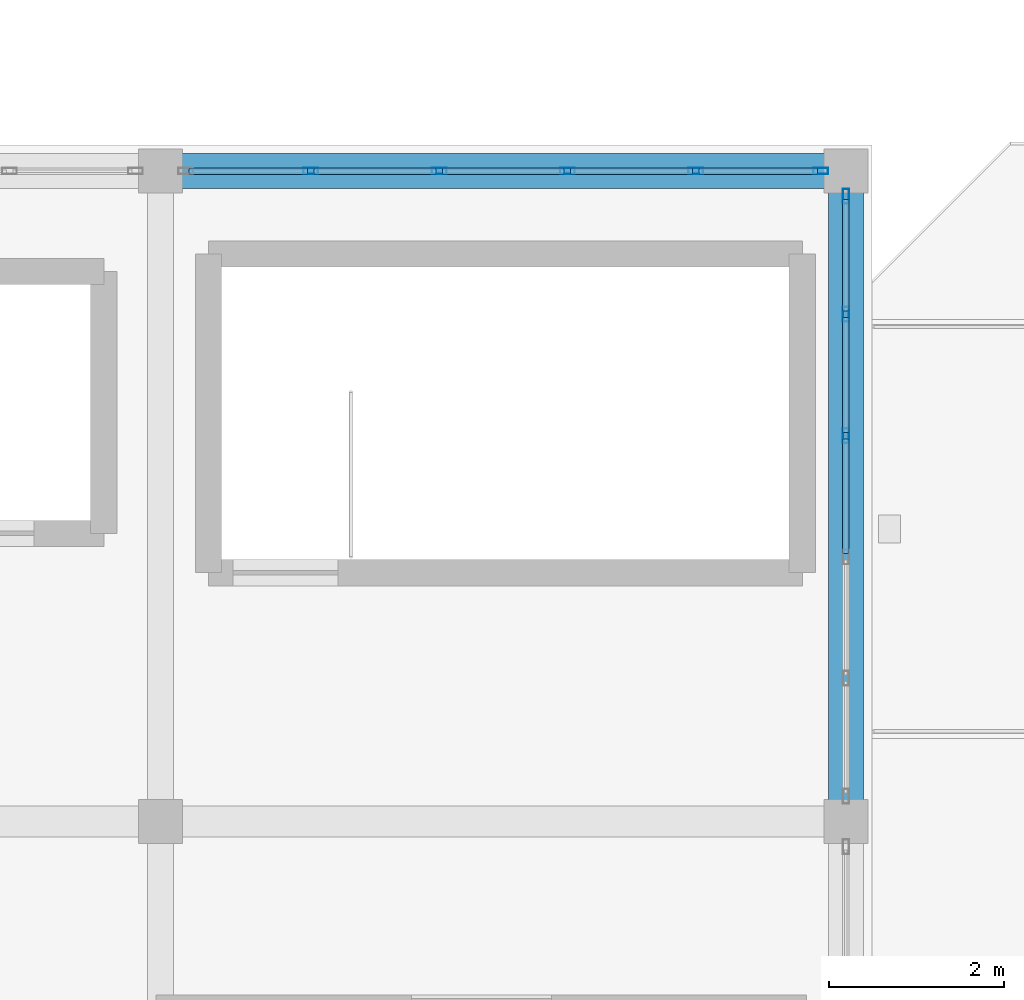
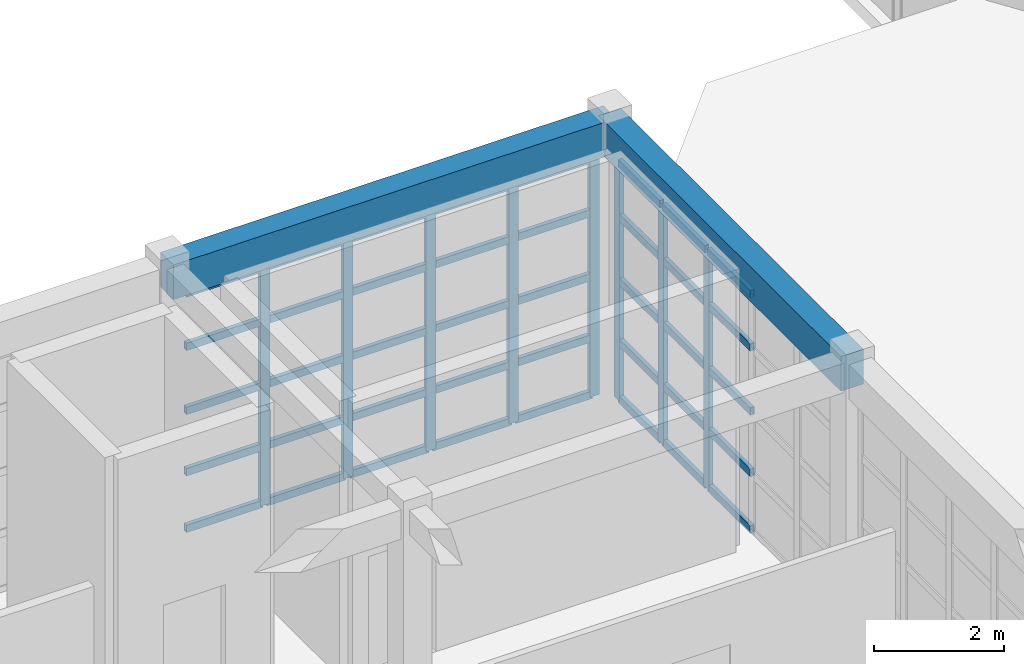
# One storey, part 14 of 103: 48 members, 2 beams, 2 elements without a shape of their own.
"""IFC4 building model written with IfcOpenShell, lengths in metres."""

from ifc_helpers import new_model, si_unit, direction, frame, origin, origin_2d, place, context, subcontext, project, spatial, rectangle, hollow_rectangle, extrude, material, layer, layer_set, material_profile, profile_set, type_object, element, aggregate, save


model = new_model("IFC4")

# Units and contexts
model_context = context("Model", 3, precision=1e-05, world=origin(), true_north=direction((0.0, 1.0)))
body_context = subcontext(model_context, "Body", "Model", "MODEL_VIEW")
ifc_project = project(units=[si_unit("LENGTHUNIT", "METRE"), si_unit("AREAUNIT", "SQUARE_METRE"), si_unit("VOLUMEUNIT", "CUBIC_METRE"), si_unit("PLANEANGLEUNIT", "RADIAN"), si_unit("MASSUNIT", "GRAM", prefix="KILO")], contexts=[model_context])

# Site, building, storey
site_placement = place(None, origin())
site = spatial("IfcSite", under=ifc_project, at=site_placement, CompositionType="ELEMENT")
building_placement = place(site_placement, origin())
building = spatial("IfcBuilding", under=site, at=building_placement, Name="Candilejo Ridge Gondola Terminal", CompositionType="ELEMENT")
storey_placement = place(building_placement, frame((0.0, 0.0, 9.0)))
storey = spatial("IfcBuildingStorey", under=building, at=storey_placement, Name="L02", CompositionType="ELEMENT", Elevation=9.0)

# Curtain wall, members
ifc_material_1 = material(Name="Anodised aluminium AA 6063-T6", Category="aluminium")
ifc_layer_1 = layer(ifc_material_1, 0.169921875)
ifc_layer_set_1 = layer_set([ifc_layer_1], Name="ARC-CW-GALLERY-3200-735X449")
curtain_wall_type_1 = type_object("IfcCurtainWallType", Name="ARC-CW-GALLERY-3200-735X449", PredefinedType="NOTDEFINED", material=ifc_layer_set_1)
curtain_wall_1_placement = place(storey_placement, origin())
curtain_wall_1 = element("IfcCurtainWall", 1, at=curtain_wall_1_placement, inside=storey, type_object=curtain_wall_type_1, Name="Curtain wall V1 L02-016", PredefinedType="NOTDEFINED")
ifc_material_2 = material(Name="Anodised aluminium AA 6063-T6", Category="aluminium")
ifc_material_profile_1 = material_profile(ifc_material_2, hollow_rectangle(XDim=0.074951171875, YDim=0.169921875, WallThickness=0.00390625, at=origin_2d()))
ifc_profile_set_1 = profile_set([ifc_material_profile_1], Name="Anodised aluminium AA 6063-T6")
member_type_1 = type_object("IfcMemberType", Name="ARC-CW-MULLION", PredefinedType="MULLION", material=ifc_profile_set_1)
member_1_placement = place(storey_placement, frame((29.719970703125, 25.699951171875, 0.0), z_axis=(0.0, 0.0, 1.0), x_axis=(0.0, 1.0, 0.0)))
member_1 = element("IfcMember", 2, at=member_1_placement, type_object=member_type_1, Name="CW-73X44 mullion 2", PredefinedType="MULLION", context=body_context, shape_type="SweptSolid", body=[
    extrude(hollow_rectangle(XDim=0.074951171875, YDim=0.169921875, WallThickness=0.00390625, at=origin_2d()), origin(), (0.0, 0.0, 1.0), 4.489990234375),
])
member_2_placement = place(storey_placement, frame((31.18994140625, 25.699951171875, 0.0), z_axis=(0.0, 0.0, 1.0), x_axis=(0.0, 1.0, 0.0)))
member_2 = element("IfcMember", 3, at=member_2_placement, type_object=member_type_1, Name="CW-73X44 mullion 3", PredefinedType="MULLION", context=body_context, shape_type="SweptSolid", body=[
    extrude(hollow_rectangle(XDim=0.074951171875, YDim=0.169921875, WallThickness=0.00390625, at=origin_2d()), origin(), (0.0, 0.0, 1.0), 4.489990234375),
])
member_3_placement = place(storey_placement, frame((32.659912109375, 25.699951171875, 0.0), z_axis=(0.0, 0.0, 1.0), x_axis=(0.0, 1.0, 0.0)))
member_3 = element("IfcMember", 4, at=member_3_placement, type_object=member_type_1, Name="CW-73X44 mullion 4", PredefinedType="MULLION", context=body_context, shape_type="SweptSolid", body=[
    extrude(hollow_rectangle(XDim=0.074951171875, YDim=0.169921875, WallThickness=0.00390625, at=origin_2d()), origin(), (0.0, 0.0, 1.0), 4.489990234375),
])
member_4_placement = place(storey_placement, frame((34.1298828125, 25.699951171875, 0.0), z_axis=(0.0, 0.0, 1.0), x_axis=(0.0, 1.0, 0.0)))
member_4 = element("IfcMember", 5, at=member_4_placement, type_object=member_type_1, Name="CW-73X44 mullion 5", PredefinedType="MULLION", context=body_context, shape_type="SweptSolid", body=[
    extrude(hollow_rectangle(XDim=0.074951171875, YDim=0.169921875, WallThickness=0.00390625, at=origin_2d()), origin(), (0.0, 0.0, 1.0), 4.489990234375),
])
member_5_placement = place(storey_placement, frame((35.5625, 25.699951171875, 0.0), z_axis=(0.0, 0.0, 1.0), x_axis=(0.0, 1.0, 0.0)))
member_5 = element("IfcMember", 6, at=member_5_placement, type_object=member_type_1, Name="CW-73X44 mullion 6", PredefinedType="MULLION", context=body_context, shape_type="SweptSolid", body=[
    extrude(hollow_rectangle(XDim=0.074951171875, YDim=0.169921875, WallThickness=0.00390625, at=origin_2d()), origin(), (0.0, 0.0, 1.0), 4.489990234375),
])

ifc_material_3 = material(Name="Anodised aluminium AA 6063-T6", Category="aluminium")
ifc_layer_2 = layer(ifc_material_3, 0.169921875)
ifc_layer_set_2 = layer_set([ifc_layer_2], Name="ARC-CW-GALLERY-3200-695X449")
curtain_wall_type_2 = type_object("IfcCurtainWallType", Name="ARC-CW-GALLERY-3200-695X449", PredefinedType="NOTDEFINED", material=ifc_layer_set_2)
curtain_wall_2_placement = place(storey_placement, origin())
curtain_wall_2 = element("IfcCurtainWall", 7, at=curtain_wall_2_placement, inside=storey, type_object=curtain_wall_type_2, Name="Curtain wall V1 L02-027", PredefinedType="NOTDEFINED")
member_6_placement = place(storey_placement, frame((35.85009765625, 22.669921875, 0.0), z_axis=(0.0, 0.0, 1.0), x_axis=(-1.0, 0.0, 0.0)))
member_6 = element("IfcMember", 8, at=member_6_placement, type_object=member_type_1, Name="CW-69X44 mullion 4", PredefinedType="MULLION", context=body_context, shape_type="SweptSolid", body=[
    extrude(hollow_rectangle(XDim=0.074951171875, YDim=0.169921875, WallThickness=0.00390625, at=origin_2d()), origin(), (0.0, 0.0, 1.0), 4.489990234375),
])
member_7_placement = place(storey_placement, frame((35.85009765625, 24.06005859375, 0.0), z_axis=(0.0, 0.0, 1.0), x_axis=(-1.0, 0.0, 0.0)))
member_7 = element("IfcMember", 9, at=member_7_placement, type_object=member_type_1, Name="CW-69X44 mullion 5", PredefinedType="MULLION", context=body_context, shape_type="SweptSolid", body=[
    extrude(hollow_rectangle(XDim=0.074951171875, YDim=0.169921875, WallThickness=0.00390625, at=origin_2d()), origin(), (0.0, 0.0, 1.0), 4.489990234375),
])
member_8_placement = place(storey_placement, frame((35.85009765625, 25.41259765625, 0.0), z_axis=(0.0, 0.0, 1.0), x_axis=(-1.0, 0.0, 0.0)))
member_8 = element("IfcMember", 10, at=member_8_placement, type_object=member_type_1, Name="CW-69X44 mullion 6", PredefinedType="MULLION", context=body_context, shape_type="SweptSolid", body=[
    extrude(hollow_rectangle(XDim=0.074951171875, YDim=0.169921875, WallThickness=0.00390625, at=origin_2d()), origin(), (0.0, 0.0, 1.0), 4.489990234375),
])

# Member
ifc_material_4 = material(Name="Anodised aluminium AA 6063-T6", Category="aluminium")
ifc_material_profile_2 = material_profile(ifc_material_4, hollow_rectangle(XDim=0.074951171875, YDim=0.139892578125, WallThickness=0.00390625, at=origin_2d()))
ifc_profile_set_2 = profile_set([ifc_material_profile_2], Name="Anodised aluminium AA 6063-T6")
member_type_2 = type_object("IfcMemberType", Name="ARC-CW-TRANSOM", PredefinedType="USERDEFINED", material=ifc_profile_set_2)
member_9_placement = place(storey_placement, frame((28.324951171875, 25.699951171875, 0.03759765625), z_axis=(1.0, 0.0, 0.0), x_axis=(0.0, 1.0, 0.0)))
member_9 = element("IfcMember", 11, at=member_9_placement, type_object=member_type_2, Name="CW-73X44 transom 1.1", ObjectType="TRANSOM", PredefinedType="USERDEFINED", context=body_context, shape_type="SweptSolid", body=[
    extrude(hollow_rectangle(XDim=0.074951171875, YDim=0.139892578125, WallThickness=0.00390625, at=origin_2d()), origin(), (0.0, 0.0, 1.0), 1.357666015625),
])

member_10_placement = place(storey_placement, frame((28.324951171875, 25.699951171875, 1.10009765625), z_axis=(1.0, 0.0, 0.0), x_axis=(0.0, 1.0, 0.0)))
member_10 = element("IfcMember", 12, at=member_10_placement, type_object=member_type_2, Name="CW-73X44 transom 1.2", ObjectType="TRANSOM", PredefinedType="USERDEFINED", context=body_context, shape_type="SweptSolid", body=[
    extrude(hollow_rectangle(XDim=0.074951171875, YDim=0.139892578125, WallThickness=0.00390625, at=origin_2d()), origin(), (0.0, 0.0, 1.0), 1.357666015625),
])

member_11_placement = place(storey_placement, frame((28.324951171875, 25.699951171875, 2.25), z_axis=(1.0, 0.0, 0.0), x_axis=(0.0, 1.0, 0.0)))
member_11 = element("IfcMember", 13, at=member_11_placement, type_object=member_type_2, Name="CW-73X44 transom 1.3", ObjectType="TRANSOM", PredefinedType="USERDEFINED", context=body_context, shape_type="SweptSolid", body=[
    extrude(hollow_rectangle(XDim=0.074951171875, YDim=0.139892578125, WallThickness=0.00390625, at=origin_2d()), origin(), (0.0, 0.0, 1.0), 1.357666015625),
])

member_12_placement = place(storey_placement, frame((28.324951171875, 25.699951171875, 3.449951171875), z_axis=(1.0, 0.0, 0.0), x_axis=(0.0, 1.0, 0.0)))
member_12 = element("IfcMember", 14, at=member_12_placement, type_object=member_type_2, Name="CW-73X44 transom 1.4", ObjectType="TRANSOM", PredefinedType="USERDEFINED", context=body_context, shape_type="SweptSolid", body=[
    extrude(hollow_rectangle(XDim=0.074951171875, YDim=0.139892578125, WallThickness=0.00390625, at=origin_2d()), origin(), (0.0, 0.0, 1.0), 1.357666015625),
])

member_13_placement = place(storey_placement, frame((28.324951171875, 25.699951171875, 4.452392578125), z_axis=(1.0, 0.0, 0.0), x_axis=(0.0, 1.0, 0.0)))
member_13 = element("IfcMember", 15, at=member_13_placement, type_object=member_type_2, Name="CW-73X44 transom 1.5", ObjectType="TRANSOM", PredefinedType="USERDEFINED", context=body_context, shape_type="SweptSolid", body=[
    extrude(hollow_rectangle(XDim=0.074951171875, YDim=0.139892578125, WallThickness=0.00390625, at=origin_2d()), origin(), (0.0, 0.0, 1.0), 1.357666015625),
])

member_14_placement = place(storey_placement, frame((29.757568359375, 25.699951171875, 0.03759765625), z_axis=(1.0, 0.0, 0.0), x_axis=(0.0, 1.0, 0.0)))
member_14 = element("IfcMember", 16, at=member_14_placement, type_object=member_type_2, Name="CW-73X44 transom 2.1", ObjectType="TRANSOM", PredefinedType="USERDEFINED", context=body_context, shape_type="SweptSolid", body=[
    extrude(hollow_rectangle(XDim=0.074951171875, YDim=0.139892578125, WallThickness=0.00390625, at=origin_2d()), origin(), (0.0, 0.0, 1.0), 1.39501953125),
])

member_15_placement = place(storey_placement, frame((29.757568359375, 25.699951171875, 1.10009765625), z_axis=(1.0, 0.0, 0.0), x_axis=(0.0, 1.0, 0.0)))
member_15 = element("IfcMember", 17, at=member_15_placement, type_object=member_type_2, Name="CW-73X44 transom 2.2", ObjectType="TRANSOM", PredefinedType="USERDEFINED", context=body_context, shape_type="SweptSolid", body=[
    extrude(hollow_rectangle(XDim=0.074951171875, YDim=0.139892578125, WallThickness=0.00390625, at=origin_2d()), origin(), (0.0, 0.0, 1.0), 1.39501953125),
])

member_16_placement = place(storey_placement, frame((29.757568359375, 25.699951171875, 2.25), z_axis=(1.0, 0.0, 0.0), x_axis=(0.0, 1.0, 0.0)))
member_16 = element("IfcMember", 18, at=member_16_placement, type_object=member_type_2, Name="CW-73X44 transom 2.3", ObjectType="TRANSOM", PredefinedType="USERDEFINED", context=body_context, shape_type="SweptSolid", body=[
    extrude(hollow_rectangle(XDim=0.074951171875, YDim=0.139892578125, WallThickness=0.00390625, at=origin_2d()), origin(), (0.0, 0.0, 1.0), 1.39501953125),
])

member_17_placement = place(storey_placement, frame((29.757568359375, 25.699951171875, 3.449951171875), z_axis=(1.0, 0.0, 0.0), x_axis=(0.0, 1.0, 0.0)))
member_17 = element("IfcMember", 19, at=member_17_placement, type_object=member_type_2, Name="CW-73X44 transom 2.4", ObjectType="TRANSOM", PredefinedType="USERDEFINED", context=body_context, shape_type="SweptSolid", body=[
    extrude(hollow_rectangle(XDim=0.074951171875, YDim=0.139892578125, WallThickness=0.00390625, at=origin_2d()), origin(), (0.0, 0.0, 1.0), 1.39501953125),
])

member_18_placement = place(storey_placement, frame((29.757568359375, 25.699951171875, 4.452392578125), z_axis=(1.0, 0.0, 0.0), x_axis=(0.0, 1.0, 0.0)))
member_18 = element("IfcMember", 20, at=member_18_placement, type_object=member_type_2, Name="CW-73X44 transom 2.5", ObjectType="TRANSOM", PredefinedType="USERDEFINED", context=body_context, shape_type="SweptSolid", body=[
    extrude(hollow_rectangle(XDim=0.074951171875, YDim=0.139892578125, WallThickness=0.00390625, at=origin_2d()), origin(), (0.0, 0.0, 1.0), 1.39501953125),
])

member_19_placement = place(storey_placement, frame((31.2275390625, 25.699951171875, 0.03759765625), z_axis=(1.0, 0.0, 0.0), x_axis=(0.0, 1.0, 0.0)))
member_19 = element("IfcMember", 21, at=member_19_placement, type_object=member_type_2, Name="CW-73X44 transom 3.1", ObjectType="TRANSOM", PredefinedType="USERDEFINED", context=body_context, shape_type="SweptSolid", body=[
    extrude(hollow_rectangle(XDim=0.074951171875, YDim=0.139892578125, WallThickness=0.00390625, at=origin_2d()), origin(), (0.0, 0.0, 1.0), 1.39501953125),
])

member_20_placement = place(storey_placement, frame((31.2275390625, 25.699951171875, 1.10009765625), z_axis=(1.0, 0.0, 0.0), x_axis=(0.0, 1.0, 0.0)))
member_20 = element("IfcMember", 22, at=member_20_placement, type_object=member_type_2, Name="CW-73X44 transom 3.2", ObjectType="TRANSOM", PredefinedType="USERDEFINED", context=body_context, shape_type="SweptSolid", body=[
    extrude(hollow_rectangle(XDim=0.074951171875, YDim=0.139892578125, WallThickness=0.00390625, at=origin_2d()), origin(), (0.0, 0.0, 1.0), 1.39501953125),
])

member_21_placement = place(storey_placement, frame((31.2275390625, 25.699951171875, 2.25), z_axis=(1.0, 0.0, 0.0), x_axis=(0.0, 1.0, 0.0)))
member_21 = element("IfcMember", 23, at=member_21_placement, type_object=member_type_2, Name="CW-73X44 transom 3.3", ObjectType="TRANSOM", PredefinedType="USERDEFINED", context=body_context, shape_type="SweptSolid", body=[
    extrude(hollow_rectangle(XDim=0.074951171875, YDim=0.139892578125, WallThickness=0.00390625, at=origin_2d()), origin(), (0.0, 0.0, 1.0), 1.39501953125),
])

member_22_placement = place(storey_placement, frame((31.2275390625, 25.699951171875, 3.449951171875), z_axis=(1.0, 0.0, 0.0), x_axis=(0.0, 1.0, 0.0)))
member_22 = element("IfcMember", 24, at=member_22_placement, type_object=member_type_2, Name="CW-73X44 transom 3.4", ObjectType="TRANSOM", PredefinedType="USERDEFINED", context=body_context, shape_type="SweptSolid", body=[
    extrude(hollow_rectangle(XDim=0.074951171875, YDim=0.139892578125, WallThickness=0.00390625, at=origin_2d()), origin(), (0.0, 0.0, 1.0), 1.39501953125),
])

member_23_placement = place(storey_placement, frame((31.2275390625, 25.699951171875, 4.452392578125), z_axis=(1.0, 0.0, 0.0), x_axis=(0.0, 1.0, 0.0)))
member_23 = element("IfcMember", 25, at=member_23_placement, type_object=member_type_2, Name="CW-73X44 transom 3.5", ObjectType="TRANSOM", PredefinedType="USERDEFINED", context=body_context, shape_type="SweptSolid", body=[
    extrude(hollow_rectangle(XDim=0.074951171875, YDim=0.139892578125, WallThickness=0.00390625, at=origin_2d()), origin(), (0.0, 0.0, 1.0), 1.39501953125),
])

member_24_placement = place(storey_placement, frame((32.697509765625, 25.699951171875, 0.03759765625), z_axis=(1.0, 0.0, 0.0), x_axis=(0.0, 1.0, 0.0)))
member_24 = element("IfcMember", 26, at=member_24_placement, type_object=member_type_2, Name="CW-73X44 transom 4.1", ObjectType="TRANSOM", PredefinedType="USERDEFINED", context=body_context, shape_type="SweptSolid", body=[
    extrude(hollow_rectangle(XDim=0.074951171875, YDim=0.139892578125, WallThickness=0.00390625, at=origin_2d()), origin(), (0.0, 0.0, 1.0), 1.39501953125),
])

member_25_placement = place(storey_placement, frame((32.697509765625, 25.699951171875, 1.10009765625), z_axis=(1.0, 0.0, 0.0), x_axis=(0.0, 1.0, 0.0)))
member_25 = element("IfcMember", 27, at=member_25_placement, type_object=member_type_2, Name="CW-73X44 transom 4.2", ObjectType="TRANSOM", PredefinedType="USERDEFINED", context=body_context, shape_type="SweptSolid", body=[
    extrude(hollow_rectangle(XDim=0.074951171875, YDim=0.139892578125, WallThickness=0.00390625, at=origin_2d()), origin(), (0.0, 0.0, 1.0), 1.39501953125),
])

member_26_placement = place(storey_placement, frame((32.697509765625, 25.699951171875, 2.25), z_axis=(1.0, 0.0, 0.0), x_axis=(0.0, 1.0, 0.0)))
member_26 = element("IfcMember", 28, at=member_26_placement, type_object=member_type_2, Name="CW-73X44 transom 4.3", ObjectType="TRANSOM", PredefinedType="USERDEFINED", context=body_context, shape_type="SweptSolid", body=[
    extrude(hollow_rectangle(XDim=0.074951171875, YDim=0.139892578125, WallThickness=0.00390625, at=origin_2d()), origin(), (0.0, 0.0, 1.0), 1.39501953125),
])

member_27_placement = place(storey_placement, frame((32.697509765625, 25.699951171875, 3.449951171875), z_axis=(1.0, 0.0, 0.0), x_axis=(0.0, 1.0, 0.0)))
member_27 = element("IfcMember", 29, at=member_27_placement, type_object=member_type_2, Name="CW-73X44 transom 4.4", ObjectType="TRANSOM", PredefinedType="USERDEFINED", context=body_context, shape_type="SweptSolid", body=[
    extrude(hollow_rectangle(XDim=0.074951171875, YDim=0.139892578125, WallThickness=0.00390625, at=origin_2d()), origin(), (0.0, 0.0, 1.0), 1.39501953125),
])

member_28_placement = place(storey_placement, frame((32.697509765625, 25.699951171875, 4.452392578125), z_axis=(1.0, 0.0, 0.0), x_axis=(0.0, 1.0, 0.0)))
member_28 = element("IfcMember", 30, at=member_28_placement, type_object=member_type_2, Name="CW-73X44 transom 4.5", ObjectType="TRANSOM", PredefinedType="USERDEFINED", context=body_context, shape_type="SweptSolid", body=[
    extrude(hollow_rectangle(XDim=0.074951171875, YDim=0.139892578125, WallThickness=0.00390625, at=origin_2d()), origin(), (0.0, 0.0, 1.0), 1.39501953125),
])

member_29_placement = place(storey_placement, frame((34.16748046875, 25.699951171875, 0.03759765625), z_axis=(1.0, 0.0, 0.0), x_axis=(0.0, 1.0, 0.0)))
member_29 = element("IfcMember", 31, at=member_29_placement, type_object=member_type_2, Name="CW-73X44 transom 5.1", ObjectType="TRANSOM", PredefinedType="USERDEFINED", context=body_context, shape_type="SweptSolid", body=[
    extrude(hollow_rectangle(XDim=0.074951171875, YDim=0.139892578125, WallThickness=0.00390625, at=origin_2d()), origin(), (0.0, 0.0, 1.0), 1.357421875),
])

member_30_placement = place(storey_placement, frame((34.16748046875, 25.699951171875, 1.10009765625), z_axis=(1.0, 0.0, 0.0), x_axis=(0.0, 1.0, 0.0)))
member_30 = element("IfcMember", 32, at=member_30_placement, type_object=member_type_2, Name="CW-73X44 transom 5.2", ObjectType="TRANSOM", PredefinedType="USERDEFINED", context=body_context, shape_type="SweptSolid", body=[
    extrude(hollow_rectangle(XDim=0.074951171875, YDim=0.139892578125, WallThickness=0.00390625, at=origin_2d()), origin(), (0.0, 0.0, 1.0), 1.357421875),
])

member_31_placement = place(storey_placement, frame((34.16748046875, 25.699951171875, 2.25), z_axis=(1.0, 0.0, 0.0), x_axis=(0.0, 1.0, 0.0)))
member_31 = element("IfcMember", 33, at=member_31_placement, type_object=member_type_2, Name="CW-73X44 transom 5.3", ObjectType="TRANSOM", PredefinedType="USERDEFINED", context=body_context, shape_type="SweptSolid", body=[
    extrude(hollow_rectangle(XDim=0.074951171875, YDim=0.139892578125, WallThickness=0.00390625, at=origin_2d()), origin(), (0.0, 0.0, 1.0), 1.357421875),
])

member_32_placement = place(storey_placement, frame((34.16748046875, 25.699951171875, 3.449951171875), z_axis=(1.0, 0.0, 0.0), x_axis=(0.0, 1.0, 0.0)))
member_32 = element("IfcMember", 34, at=member_32_placement, type_object=member_type_2, Name="CW-73X44 transom 5.4", ObjectType="TRANSOM", PredefinedType="USERDEFINED", context=body_context, shape_type="SweptSolid", body=[
    extrude(hollow_rectangle(XDim=0.074951171875, YDim=0.139892578125, WallThickness=0.00390625, at=origin_2d()), origin(), (0.0, 0.0, 1.0), 1.357421875),
])

member_33_placement = place(storey_placement, frame((34.16748046875, 25.699951171875, 4.452392578125), z_axis=(1.0, 0.0, 0.0), x_axis=(0.0, 1.0, 0.0)))
member_33 = element("IfcMember", 35, at=member_33_placement, type_object=member_type_2, Name="CW-73X44 transom 5.5", ObjectType="TRANSOM", PredefinedType="USERDEFINED", context=body_context, shape_type="SweptSolid", body=[
    extrude(hollow_rectangle(XDim=0.074951171875, YDim=0.139892578125, WallThickness=0.00390625, at=origin_2d()), origin(), (0.0, 0.0, 1.0), 1.357421875),
])

aggregate(curtain_wall_1, [member_1, member_2, member_3, member_4, member_5, member_9, member_10, member_11, member_12, member_13, member_14, member_15, member_16, member_17, member_18, member_19, member_20, member_21, member_22, member_23, member_24, member_25, member_26, member_27, member_28, member_29, member_30, member_31, member_32, member_33])

member_34_placement = place(storey_placement, frame((35.85009765625, 21.3173828125, 0.03759765625), z_axis=(0.0, 1.0, 0.0), x_axis=(-1.0, 0.0, 0.0)))
member_34 = element("IfcMember", 36, at=member_34_placement, type_object=member_type_2, Name="CW-69X44 transom 3.1", ObjectType="TRANSOM", PredefinedType="USERDEFINED", context=body_context, shape_type="SweptSolid", body=[
    extrude(hollow_rectangle(XDim=0.074951171875, YDim=0.139892578125, WallThickness=0.00390625, at=origin_2d()), origin(), (0.0, 0.0, 1.0), 1.315185546875),
])

member_35_placement = place(storey_placement, frame((35.85009765625, 21.3173828125, 1.10009765625), z_axis=(0.0, 1.0, 0.0), x_axis=(-1.0, 0.0, 0.0)))
member_35 = element("IfcMember", 37, at=member_35_placement, type_object=member_type_2, Name="CW-69X44 transom 3.2", ObjectType="TRANSOM", PredefinedType="USERDEFINED", context=body_context, shape_type="SweptSolid", body=[
    extrude(hollow_rectangle(XDim=0.074951171875, YDim=0.139892578125, WallThickness=0.00390625, at=origin_2d()), origin(), (0.0, 0.0, 1.0), 1.315185546875),
])

member_36_placement = place(storey_placement, frame((35.85009765625, 21.3173828125, 2.25), z_axis=(0.0, 1.0, 0.0), x_axis=(-1.0, 0.0, 0.0)))
member_36 = element("IfcMember", 38, at=member_36_placement, type_object=member_type_2, Name="CW-69X44 transom 3.3", ObjectType="TRANSOM", PredefinedType="USERDEFINED", context=body_context, shape_type="SweptSolid", body=[
    extrude(hollow_rectangle(XDim=0.074951171875, YDim=0.139892578125, WallThickness=0.00390625, at=origin_2d()), origin(), (0.0, 0.0, 1.0), 1.315185546875),
])

member_37_placement = place(storey_placement, frame((35.85009765625, 21.3173828125, 3.449951171875), z_axis=(0.0, 1.0, 0.0), x_axis=(-1.0, 0.0, 0.0)))
member_37 = element("IfcMember", 39, at=member_37_placement, type_object=member_type_2, Name="CW-69X44 transom 3.4", ObjectType="TRANSOM", PredefinedType="USERDEFINED", context=body_context, shape_type="SweptSolid", body=[
    extrude(hollow_rectangle(XDim=0.074951171875, YDim=0.139892578125, WallThickness=0.00390625, at=origin_2d()), origin(), (0.0, 0.0, 1.0), 1.315185546875),
])

member_38_placement = place(storey_placement, frame((35.85009765625, 21.3173828125, 4.452392578125), z_axis=(0.0, 1.0, 0.0), x_axis=(-1.0, 0.0, 0.0)))
member_38 = element("IfcMember", 40, at=member_38_placement, type_object=member_type_2, Name="CW-69X44 transom 3.5", ObjectType="TRANSOM", PredefinedType="USERDEFINED", context=body_context, shape_type="SweptSolid", body=[
    extrude(hollow_rectangle(XDim=0.074951171875, YDim=0.139892578125, WallThickness=0.00390625, at=origin_2d()), origin(), (0.0, 0.0, 1.0), 1.315185546875),
])

member_39_placement = place(storey_placement, frame((35.85009765625, 22.70751953125, 0.03759765625), z_axis=(0.0, 1.0, 0.0), x_axis=(-1.0, 0.0, 0.0)))
member_39 = element("IfcMember", 41, at=member_39_placement, type_object=member_type_2, Name="CW-69X44 transom 4.1", ObjectType="TRANSOM", PredefinedType="USERDEFINED", context=body_context, shape_type="SweptSolid", body=[
    extrude(hollow_rectangle(XDim=0.074951171875, YDim=0.139892578125, WallThickness=0.00390625, at=origin_2d()), origin(), (0.0, 0.0, 1.0), 1.31494140625),
])

member_40_placement = place(storey_placement, frame((35.85009765625, 22.70751953125, 1.10009765625), z_axis=(0.0, 1.0, 0.0), x_axis=(-1.0, 0.0, 0.0)))
member_40 = element("IfcMember", 42, at=member_40_placement, type_object=member_type_2, Name="CW-69X44 transom 4.2", ObjectType="TRANSOM", PredefinedType="USERDEFINED", context=body_context, shape_type="SweptSolid", body=[
    extrude(hollow_rectangle(XDim=0.074951171875, YDim=0.139892578125, WallThickness=0.00390625, at=origin_2d()), origin(), (0.0, 0.0, 1.0), 1.31494140625),
])

member_41_placement = place(storey_placement, frame((35.85009765625, 22.70751953125, 2.25), z_axis=(0.0, 1.0, 0.0), x_axis=(-1.0, 0.0, 0.0)))
member_41 = element("IfcMember", 43, at=member_41_placement, type_object=member_type_2, Name="CW-69X44 transom 4.3", ObjectType="TRANSOM", PredefinedType="USERDEFINED", context=body_context, shape_type="SweptSolid", body=[
    extrude(hollow_rectangle(XDim=0.074951171875, YDim=0.139892578125, WallThickness=0.00390625, at=origin_2d()), origin(), (0.0, 0.0, 1.0), 1.31494140625),
])

member_42_placement = place(storey_placement, frame((35.85009765625, 22.70751953125, 3.449951171875), z_axis=(0.0, 1.0, 0.0), x_axis=(-1.0, 0.0, 0.0)))
member_42 = element("IfcMember", 44, at=member_42_placement, type_object=member_type_2, Name="CW-69X44 transom 4.4", ObjectType="TRANSOM", PredefinedType="USERDEFINED", context=body_context, shape_type="SweptSolid", body=[
    extrude(hollow_rectangle(XDim=0.074951171875, YDim=0.139892578125, WallThickness=0.00390625, at=origin_2d()), origin(), (0.0, 0.0, 1.0), 1.31494140625),
])

member_43_placement = place(storey_placement, frame((35.85009765625, 22.70751953125, 4.452392578125), z_axis=(0.0, 1.0, 0.0), x_axis=(-1.0, 0.0, 0.0)))
member_43 = element("IfcMember", 45, at=member_43_placement, type_object=member_type_2, Name="CW-69X44 transom 4.5", ObjectType="TRANSOM", PredefinedType="USERDEFINED", context=body_context, shape_type="SweptSolid", body=[
    extrude(hollow_rectangle(XDim=0.074951171875, YDim=0.139892578125, WallThickness=0.00390625, at=origin_2d()), origin(), (0.0, 0.0, 1.0), 1.31494140625),
])

member_44_placement = place(storey_placement, frame((35.85009765625, 24.097412109375, 0.03759765625), z_axis=(0.0, 1.0, 0.0), x_axis=(-1.0, 0.0, 0.0)))
member_44 = element("IfcMember", 46, at=member_44_placement, type_object=member_type_2, Name="CW-69X44 transom 5.1", ObjectType="TRANSOM", PredefinedType="USERDEFINED", context=body_context, shape_type="SweptSolid", body=[
    extrude(hollow_rectangle(XDim=0.074951171875, YDim=0.139892578125, WallThickness=0.00390625, at=origin_2d()), origin(), (0.0, 0.0, 1.0), 1.277587890625),
])

member_45_placement = place(storey_placement, frame((35.85009765625, 24.097412109375, 1.10009765625), z_axis=(0.0, 1.0, 0.0), x_axis=(-1.0, 0.0, 0.0)))
member_45 = element("IfcMember", 47, at=member_45_placement, type_object=member_type_2, Name="CW-69X44 transom 5.2", ObjectType="TRANSOM", PredefinedType="USERDEFINED", context=body_context, shape_type="SweptSolid", body=[
    extrude(hollow_rectangle(XDim=0.074951171875, YDim=0.139892578125, WallThickness=0.00390625, at=origin_2d()), origin(), (0.0, 0.0, 1.0), 1.277587890625),
])

member_46_placement = place(storey_placement, frame((35.85009765625, 24.097412109375, 2.25), z_axis=(0.0, 1.0, 0.0), x_axis=(-1.0, 0.0, 0.0)))
member_46 = element("IfcMember", 48, at=member_46_placement, type_object=member_type_2, Name="CW-69X44 transom 5.3", ObjectType="TRANSOM", PredefinedType="USERDEFINED", context=body_context, shape_type="SweptSolid", body=[
    extrude(hollow_rectangle(XDim=0.074951171875, YDim=0.139892578125, WallThickness=0.00390625, at=origin_2d()), origin(), (0.0, 0.0, 1.0), 1.277587890625),
])

member_47_placement = place(storey_placement, frame((35.85009765625, 24.097412109375, 3.449951171875), z_axis=(0.0, 1.0, 0.0), x_axis=(-1.0, 0.0, 0.0)))
member_47 = element("IfcMember", 49, at=member_47_placement, type_object=member_type_2, Name="CW-69X44 transom 5.4", ObjectType="TRANSOM", PredefinedType="USERDEFINED", context=body_context, shape_type="SweptSolid", body=[
    extrude(hollow_rectangle(XDim=0.074951171875, YDim=0.139892578125, WallThickness=0.00390625, at=origin_2d()), origin(), (0.0, 0.0, 1.0), 1.277587890625),
])

member_48_placement = place(storey_placement, frame((35.85009765625, 24.097412109375, 4.452392578125), z_axis=(0.0, 1.0, 0.0), x_axis=(-1.0, 0.0, 0.0)))
member_48 = element("IfcMember", 50, at=member_48_placement, type_object=member_type_2, Name="CW-69X44 transom 5.5", ObjectType="TRANSOM", PredefinedType="USERDEFINED", context=body_context, shape_type="SweptSolid", body=[
    extrude(hollow_rectangle(XDim=0.074951171875, YDim=0.139892578125, WallThickness=0.00390625, at=origin_2d()), origin(), (0.0, 0.0, 1.0), 1.277587890625),
])

aggregate(curtain_wall_2, [member_6, member_7, member_8, member_34, member_35, member_36, member_37, member_38, member_39, member_40, member_41, member_42, member_43, member_44, member_45, member_46, member_47, member_48])

# Beams
ifc_material_5 = material(Name="Concrete f'c 35 MPa (C35/45)", Category="concrete")
ifc_material_profile_3 = material_profile(ifc_material_5, rectangle(XDim=0.39990234375, YDim=0.64990234375, at=origin_2d()))
ifc_profile_set_3 = profile_set([ifc_material_profile_3], Name="Concrete f'c 35 MPa (C35/45)")
beam_type = type_object("IfcBeamType", Name="STR-SPN-RC400X650", PredefinedType="SPANDREL", material=ifc_profile_set_3)
beam_1_placement = place(storey_placement, frame((28.0, 25.699951171875, 4.875), z_axis=(1.0, 0.0, 0.0), x_axis=(0.0, 1.0, 0.0)))
element("IfcBeam", 51, at=beam_1_placement, inside=storey, type_object=beam_type, Name="Beam X V1 L02 X04-X05@Y05", PredefinedType="SPANDREL", context=body_context, shape_type="SweptSolid", body=[
    extrude(rectangle(XDim=0.39990234375, YDim=0.64990234375, at=origin_2d()), origin(), (0.0, 0.0, 1.0), 7.85009765625),
])
beam_2_placement = place(storey_placement, frame((35.85009765625, 18.25, 4.875), z_axis=(0.0, 1.0, 0.0), x_axis=(-1.0, 0.0, 0.0)))
element("IfcBeam", 52, at=beam_2_placement, inside=storey, type_object=beam_type, Name="Beam Y V1 L02 Y03-Y05@X05", PredefinedType="SPANDREL", context=body_context, shape_type="SweptSolid", body=[
    extrude(rectangle(XDim=0.39990234375, YDim=0.64990234375, at=origin_2d()), origin(), (0.0, 0.0, 1.0), 7.449951171875),
])

save(model, "model.ifc")
